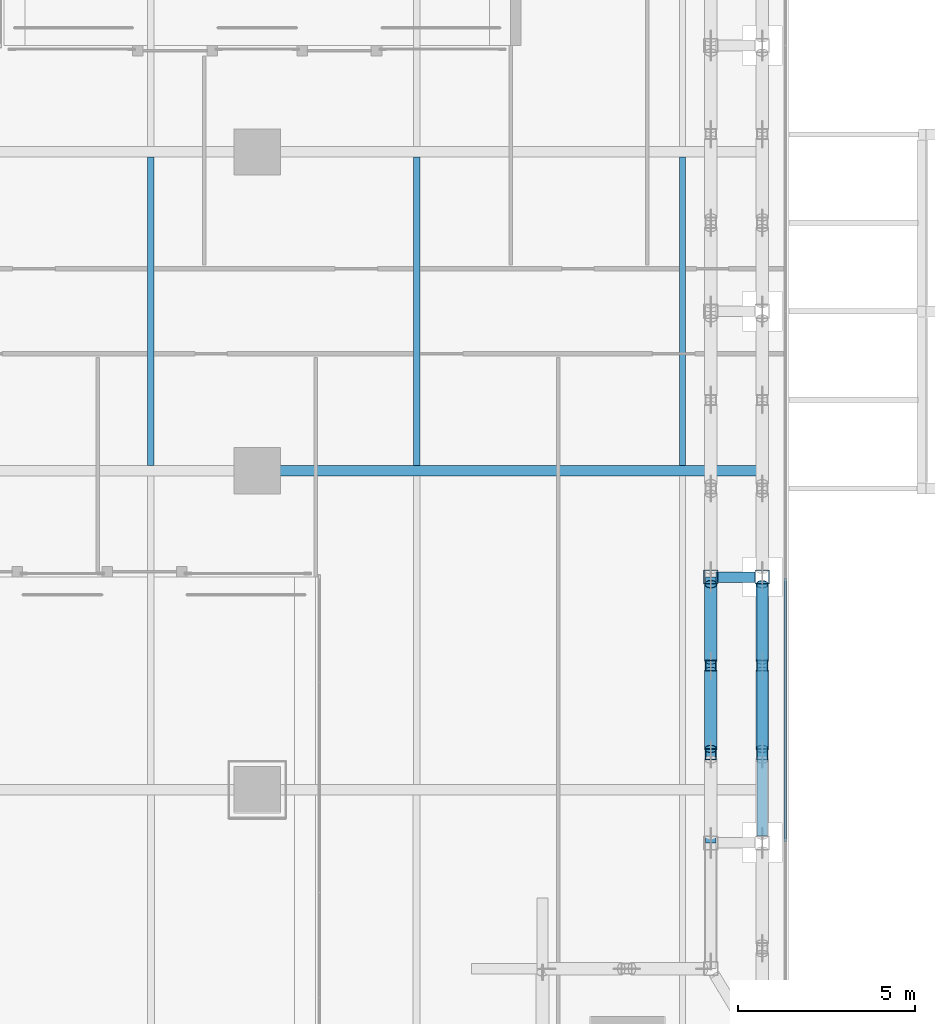
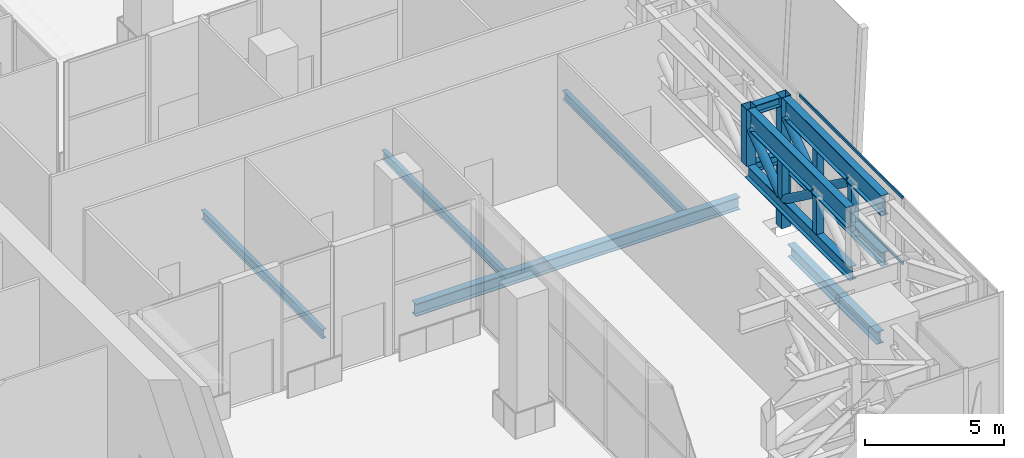
# One storey, part 16 of 47: 16 members, 7 beams, 1 element without a shape of its own.
"""IFC4 building model written with IfcOpenShell, lengths in metres."""

from ifc_helpers import new_model, si_unit, direction, frame, origin, origin_2d, place, context, subcontext, project, spatial, hollow_rectangle, hollow_circle, i_section, extrude, source, transform, mapped, material, material_profile, profile_set, type_object, element, aggregate, save


model = new_model("IFC4")

# Units and contexts
model_context = context("Model", 3, precision=1e-05, world=origin(), true_north=direction((0.0, 1.0)))
body_context = subcontext(model_context, "Body", "Model", "MODEL_VIEW")
ifc_project = project(units=[si_unit("LENGTHUNIT", "METRE"), si_unit("AREAUNIT", "SQUARE_METRE"), si_unit("VOLUMEUNIT", "CUBIC_METRE"), si_unit("PLANEANGLEUNIT", "RADIAN"), si_unit("MASSUNIT", "GRAM", prefix="KILO")], contexts=[model_context])

# Site, building, storey
site_placement = place(None, origin())
site = spatial("IfcSite", under=ifc_project, at=site_placement, CompositionType="ELEMENT")
building_placement = place(site_placement, origin())
building = spatial("IfcBuilding", under=site, at=building_placement, Name="Khomas Fold Tower", CompositionType="ELEMENT")
storey_placement = place(building_placement, frame((0.0, 0.0, 158.699951171875)))
storey = spatial("IfcBuildingStorey", under=building, at=storey_placement, Name="L34", CompositionType="ELEMENT", Elevation=158.699951171875)

# Beams
ifc_material_1 = material(Name="Steel S355", Category="steel")
ifc_material_profile_1 = material_profile(ifc_material_1, i_section(OverallWidth=0.179931640625, OverallDepth=0.39990234375, WebThickness=0.008544921875, FlangeThickness=0.013427734375, at=origin_2d()), Name="IPE 400")
ifc_profile_set_1 = profile_set([ifc_material_profile_1], Name="Steel S355")
beam_type_1 = type_object("IfcBeamType", Name="IPE 400 beam JB3", PredefinedType="BEAM", material=ifc_profile_set_1)
shared_shape_1 = source(origin(), body_context, "Body", "SweptSolid", [
    extrude(i_section(OverallWidth=0.179931640625, OverallDepth=0.39990234375, WebThickness=0.008544921875, FlangeThickness=0.013427734375, at=origin_2d()), origin(), (0.0, 0.0, 1.0), 8.7001953125),
])
for number, where, z_axis, x_axis, name in (
    (1, (34.5, 22.64990234375, -0.64990234375), (0.0, 1.0, 0.0), (-1.0, 0.0, 0.0), "JB3"),
    (2, (42.0, 22.64990234375, -0.64990234375), (0.0, 1.0, 0.0), (-1.0, 0.0, 0.0), "JB3"),
    (3, (49.5, 22.64990234375, -0.64990234375), (0.0, 1.0, 0.0), (-1.0, 0.0, 0.0), "JB3"),
):
    element("IfcBeam", number, at=place(storey_placement, frame(where, z_axis=z_axis, x_axis=x_axis)), inside=storey, type_object=beam_type_1, Name=name, PredefinedType="BEAM", context=body_context, shape_type="MappedRepresentation", body=[
        mapped(shared_shape_1, transform((0.0, 0.0, 0.0))),
    ])
ifc_material_2 = material(Name="Steel S355", Category="steel")
ifc_material_profile_2 = material_profile(ifc_material_2, i_section(OverallWidth=0.300048828125, OverallDepth=0.550048828125, WebThickness=0.014892578125, FlangeThickness=0.029052734375, at=origin_2d()), Name="HE 550 B")
ifc_profile_set_2 = profile_set([ifc_material_profile_2], Name="Steel S355")
beam_type_2 = type_object("IfcBeamType", Name="HE 550 B spandrel SB2", PredefinedType="SPANDREL", material=ifc_profile_set_2)
shared_shape_2 = source(origin(), body_context, "Body", "SweptSolid", [
    extrude(i_section(OverallWidth=0.300048828125, OverallDepth=0.550048828125, WebThickness=0.014892578125, FlangeThickness=0.029052734375, at=origin_2d()), origin(), (0.0, 0.0, 1.0), 6.39990234375),
])
beam_1_placement = place(storey_placement, frame((51.75, 12.550048828125, -0.724853515625), z_axis=(0.0, 1.0, 0.0), x_axis=(-1.0, 0.0, 0.0)))
element("IfcBeam", 4, at=beam_1_placement, inside=storey, type_object=beam_type_2, Name="SB2", PredefinedType="SPANDREL", context=body_context, shape_type="MappedRepresentation", body=[
    mapped(shared_shape_2, transform((0.0, 0.0, 0.0))),
])
ifc_material_3 = material(Name="Steel S355", Category="steel")
ifc_material_profile_3 = material_profile(ifc_material_3, i_section(OverallWidth=0.300048828125, OverallDepth=0.550048828125, WebThickness=0.014892578125, FlangeThickness=0.029052734375, at=origin_2d()), Name="HE 550 B")
ifc_profile_set_3 = profile_set([ifc_material_profile_3], Name="Steel S355")
beam_type_3 = type_object("IfcBeamType", Name="HE 550 B beam GB4", PredefinedType="BEAM", material=ifc_profile_set_3)
shared_shape_3 = source(origin(), body_context, "Body", "SweptSolid", [
    extrude(i_section(OverallWidth=0.300048828125, OverallDepth=0.550048828125, WebThickness=0.014892578125, FlangeThickness=0.029052734375, at=origin_2d()), origin(), (0.0, 0.0, 1.0), 13.4501953125),
])
beam_2_placement = place(storey_placement, frame((38.14990234375, 22.5, -0.724853515625), z_axis=(1.0, 0.0, 0.0), x_axis=(0.0, 1.0, 0.0)))
element("IfcBeam", 5, at=beam_2_placement, inside=storey, type_object=beam_type_3, Name="GB4", PredefinedType="BEAM", context=body_context, shape_type="MappedRepresentation", body=[
    mapped(shared_shape_3, transform((0.0, 0.0, 0.0))),
])

# Members
ifc_material_4 = material(Name="Steel S355", Category="steel")
ifc_material_profile_4 = material_profile(ifc_material_4, hollow_rectangle(XDim=0.300048828125, YDim=0.300048828125, WallThickness=0.012451171875, at=origin_2d()), Name="SHS 300x300x12.5")
ifc_profile_set_4 = profile_set([ifc_material_profile_4], Name="Steel S355")
member_type_1 = type_object("IfcMemberType", Name="BELT TRUSS 2 MID POST SHS 300x300x12.5", PredefinedType="POST", material=ifc_profile_set_4)
shared_shape_4 = source(origin(), body_context, "Body", "SweptSolid", [
    extrude(hollow_rectangle(XDim=0.300048828125, YDim=0.300048828125, WallThickness=0.012451171875, at=origin_2d()), origin(), (0.0, 0.0, 1.0), 1.60009765625),
])
for number, where, z_axis, x_axis, name in (
    (6, (51.75, 14.5, 3.25), (0.0, 0.0, 1.0), (1.0, 0.0, 0.0), "BT2-M"),
    (7, (51.75, 17.0, 3.25), (0.0, 0.0, 1.0), (1.0, 0.0, 0.0), "BT2-M"),
    (8, (50.300048828125, 14.5, 3.25), (0.0, 0.0, 1.0), (1.0, 0.0, 0.0), "BT2-M"),
    (9, (50.300048828125, 17.0, 3.25), (0.0, 0.0, 1.0), (1.0, 0.0, 0.0), "BT2-M"),
):
    element("IfcMember", number, at=place(storey_placement, frame(where, z_axis=z_axis, x_axis=x_axis)), inside=storey, type_object=member_type_1, Name=name, PredefinedType="POST", context=body_context, shape_type="MappedRepresentation", body=[
        mapped(shared_shape_4, transform((0.0, 0.0, 0.0))),
    ])
ifc_material_5 = material(Name="Steel S460M", Category="steel")
ifc_material_profile_5 = material_profile(ifc_material_5, i_section(OverallWidth=0.300048828125, OverallDepth=0.89990234375, WebThickness=0.0185546875, FlangeThickness=0.034912109375, at=origin_2d()), Name="HE 900 B")
ifc_profile_set_5 = profile_set([ifc_material_profile_5], Name="Steel S460M")
member_type_2 = type_object("IfcMemberType", Name="BELT TRUSS 2 TOP CHORD HE 900 B", PredefinedType="CHORD", material=ifc_profile_set_5)
shared_shape_5 = source(origin(), body_context, "Body", "SweptSolid", [
    extrude(i_section(OverallWidth=0.300048828125, OverallDepth=0.89990234375, WebThickness=0.0185546875, FlangeThickness=0.034912109375, at=origin_2d()), origin(), (0.0, 0.0, 1.0), 7.10009765625),
])
for number, where, z_axis, x_axis, name in (
    (10, (51.75, 12.199951171875, 5.300048828125), (0.0, 1.0, 0.0), (-1.0, 0.0, 0.0), "BT2-CT"),
    (11, (50.300048828125, 12.199951171875, 5.300048828125), (0.0, 1.0, 0.0), (-1.0, 0.0, 0.0), "BT2-CT"),
):
    element("IfcMember", number, at=place(storey_placement, frame(where, z_axis=z_axis, x_axis=x_axis)), inside=storey, type_object=member_type_2, Name=name, PredefinedType="CHORD", context=body_context, shape_type="MappedRepresentation", body=[
        mapped(shared_shape_5, transform((0.0, 0.0, 0.0))),
    ])
ifc_material_6 = material(Name="Steel S355", Category="steel")
ifc_material_profile_6 = material_profile(ifc_material_6, i_section(OverallWidth=0.300048828125, OverallDepth=0.60009765625, WebThickness=0.015380859375, FlangeThickness=0.030029296875, at=origin_2d()), Name="HE 600 B")
ifc_profile_set_6 = profile_set([ifc_material_profile_6], Name="Steel S355")
member_type_3 = type_object("IfcMemberType", Name="BELT TRUSS 2 BOTTOM CHORD HE 600 B", PredefinedType="CHORD", material=ifc_profile_set_6)
shared_shape_6 = source(origin(), body_context, "Body", "SweptSolid", [
    extrude(i_section(OverallWidth=0.300048828125, OverallDepth=0.60009765625, WebThickness=0.015380859375, FlangeThickness=0.030029296875, at=origin_2d()), origin(), (0.0, 0.0, 1.0), 7.10009765625),
])
member_1_placement = place(storey_placement, frame((51.75, 12.199951171875, 2.949951171875), z_axis=(0.0, 1.0, 0.0), x_axis=(-1.0, 0.0, 0.0)))
element("IfcMember", 12, at=member_1_placement, inside=storey, type_object=member_type_3, Name="BT2-CB", PredefinedType="CHORD", context=body_context, shape_type="MappedRepresentation", body=[
    mapped(shared_shape_6, transform((0.0, 0.0, 0.0))),
])
ifc_material_7 = material(Name="Steel S355", Category="steel")
ifc_material_profile_7 = material_profile(ifc_material_7, hollow_circle(Radius=0.177734375, WallThickness=0.01611328125, at=origin_2d()), Name="CHS 355.6x16")
ifc_profile_set_7 = profile_set([ifc_material_profile_7], Name="Steel S355")
member_type_4 = type_object("IfcMemberType", Name="BELT TRUSS 2 DIAGONAL CHS 355.6x16", PredefinedType="BRACE", material=ifc_profile_set_7)
shared_shape_7 = source(origin(), body_context, "Body", "SweptSolid", [
    extrude(hollow_circle(Radius=0.177734375, WallThickness=0.01611328125, at=origin_2d()), origin(), (0.0, 0.0, 1.0), 2.68603515625),
])
for number, where, z_axis, x_axis, name in (
    (13, (51.75, 17.14990234375, 3.2451171875), (0.0, 0.800490552016, 0.599345372998), (-1.0, 0.0, 0.0), "BT2-D"),
    (14, (50.300048828125, 17.14990234375, 3.2451171875), (0.0, 0.800490552016, 0.599345372998), (-1.0, 0.0, 0.0), "BT2-D"),
):
    element("IfcMember", number, at=place(storey_placement, frame(where, z_axis=z_axis, x_axis=x_axis)), inside=storey, type_object=member_type_4, Name=name, PredefinedType="BRACE", context=body_context, shape_type="MappedRepresentation", body=[
        mapped(shared_shape_7, transform((0.0, 0.0, 0.0))),
    ])
shared_shape_8 = source(origin(), body_context, "Body", "SweptSolid", [
    extrude(hollow_circle(Radius=0.177734375, WallThickness=0.01611328125, at=origin_2d()), origin(), (0.0, 0.0, 1.0), 2.726318359375),
])
for number, where, z_axis, x_axis, name in (
    (15, (51.75, 14.64990234375, 4.85498046875), (0.0, 0.80703657096, -0.590501459044), (-1.0, 0.0, 0.0), "BT2-D"),
    (16, (50.300048828125, 14.64990234375, 4.85498046875), (0.0, 0.80703657096, -0.590501459044), (-1.0, 0.0, 0.0), "BT2-D"),
):
    element("IfcMember", number, at=place(storey_placement, frame(where, z_axis=z_axis, x_axis=x_axis)), inside=storey, type_object=member_type_4, Name=name, PredefinedType="BRACE", context=body_context, shape_type="MappedRepresentation", body=[
        mapped(shared_shape_8, transform((0.0, 0.0, 0.0))),
    ])
shared_shape_9 = source(origin(), body_context, "Body", "SweptSolid", [
    extrude(i_section(OverallWidth=0.300048828125, OverallDepth=0.60009765625, WebThickness=0.015380859375, FlangeThickness=0.030029296875, at=origin_2d()), origin(), (0.0, 0.0, 1.0), 7.5),
])
member_2_placement = place(storey_placement, frame((50.300048828125, 12.0, 2.949951171875), z_axis=(0.0, 1.0, 0.0), x_axis=(-1.0, 0.0, 0.0)))
element("IfcMember", 17, at=member_2_placement, inside=storey, type_object=member_type_3, Name="BT2-CB", PredefinedType="CHORD", context=body_context, shape_type="MappedRepresentation", body=[
    mapped(shared_shape_9, transform((0.0, 0.0, 0.0))),
])
ifc_material_8 = material(Name="Steel S460M", Category="steel")
ifc_material_profile_8 = material_profile(ifc_material_8, hollow_rectangle(XDim=0.39990234375, YDim=0.39990234375, WallThickness=0.01611328125, at=origin_2d()), Name="SHS 400x400x16")
ifc_profile_set_8 = profile_set([ifc_material_profile_8], Name="Steel S460M")
member_type_5 = type_object("IfcMemberType", Name="BELT TRUSS 2 COLUMN POST SHS 400x400x16", PredefinedType="POST", material=ifc_profile_set_8)
shared_shape_10 = source(origin(), body_context, "Body", "SweptSolid", [
    extrude(hollow_rectangle(XDim=0.39990234375, YDim=0.39990234375, WallThickness=0.01611328125, at=origin_2d()), origin(), (0.0, 0.0, 1.0), 5.75),
])
member_3_placement = place(storey_placement, frame((51.75, 19.5, 0.0), z_axis=(0.0, 0.0, 1.0), x_axis=(1.0, 0.0, 0.0)))
element("IfcMember", 18, at=member_3_placement, inside=storey, type_object=member_type_5, Name="BT2-P", PredefinedType="POST", context=body_context, shape_type="MappedRepresentation", body=[
    mapped(shared_shape_10, transform((0.0, 0.0, 0.0))),
])
ifc_material_9 = material(Name="Steel S460M", Category="steel")
ifc_material_profile_9 = material_profile(ifc_material_9, hollow_rectangle(XDim=0.39990234375, YDim=0.39990234375, WallThickness=0.01611328125, at=origin_2d()), Name="SHS 400x400x16")
ifc_profile_set_9 = profile_set([ifc_material_profile_9], Name="Steel S460M")
member_type_6 = type_object("IfcMemberType", Name="BELT TRUSS 2 COLUMN POST SHORT SHS 400x400x16", PredefinedType="POST", material=ifc_profile_set_9)
shared_shape_11 = source(origin(), body_context, "Body", "SweptSolid", [
    extrude(hollow_rectangle(XDim=0.39990234375, YDim=0.39990234375, WallThickness=0.01611328125, at=origin_2d()), origin(), (0.0, 0.0, 1.0), 2.5),
])
member_4_placement = place(storey_placement, frame((50.300048828125, 19.5, 3.25), z_axis=(0.0, 0.0, 1.0), x_axis=(1.0, 0.0, 0.0)))
element("IfcMember", 19, at=member_4_placement, inside=storey, type_object=member_type_6, Name="BT2-PS", PredefinedType="POST", context=body_context, shape_type="MappedRepresentation", body=[
    mapped(shared_shape_11, transform((0.0, 0.0, 0.0))),
])

# Beams
ifc_material_10 = material(Name="Steel S355", Category="steel")
ifc_material_profile_10 = material_profile(ifc_material_10, i_section(OverallWidth=0.300048828125, OverallDepth=0.39990234375, WebThickness=0.013427734375, FlangeThickness=0.02392578125, at=origin_2d()), Name="HE 400 B")
ifc_profile_set_10 = profile_set([ifc_material_profile_10], Name="Steel S355")
beam_type_4 = type_object("IfcBeamType", Name="BELT TRUSS 2 TOP STRUT HE 400 B", PredefinedType="BEAM", material=ifc_profile_set_10)
shared_shape_12 = source(origin(), body_context, "Body", "SweptSolid", [
    extrude(i_section(OverallWidth=0.300048828125, OverallDepth=0.39990234375, WebThickness=0.013427734375, FlangeThickness=0.02392578125, at=origin_2d()), origin(), (0.0, 0.0, 1.0), 1.050048828125),
])
beam_3_placement = place(storey_placement, frame((50.5, 19.5, 5.550048828125), z_axis=(1.0, 0.0, 0.0), x_axis=(0.0, 1.0, 0.0)))
element("IfcBeam", 20, at=beam_3_placement, inside=storey, type_object=beam_type_4, Name="BT2-ST", PredefinedType="BEAM", context=body_context, shape_type="MappedRepresentation", body=[
    mapped(shared_shape_12, transform((0.0, 0.0, 0.0))),
])
ifc_material_11 = material(Name="Steel S355", Category="steel")
ifc_material_profile_11 = material_profile(ifc_material_11, i_section(OverallWidth=0.300048828125, OverallDepth=0.39990234375, WebThickness=0.013427734375, FlangeThickness=0.02392578125, at=origin_2d()), Name="HE 400 B")
ifc_profile_set_11 = profile_set([ifc_material_profile_11], Name="Steel S355")
beam_type_5 = type_object("IfcBeamType", Name="BELT TRUSS 2 BOTTOM STRUT HE 400 B", PredefinedType="BEAM", material=ifc_profile_set_11)
shared_shape_13 = source(origin(), body_context, "Body", "SweptSolid", [
    extrude(i_section(OverallWidth=0.300048828125, OverallDepth=0.39990234375, WebThickness=0.013427734375, FlangeThickness=0.02392578125, at=origin_2d()), origin(), (0.0, 0.0, 1.0), 1.10009765625),
])
beam_4_placement = place(storey_placement, frame((50.449951171875, 19.5, 3.050048828125), z_axis=(1.0, 0.0, 0.0), x_axis=(0.0, 1.0, 0.0)))
element("IfcBeam", 21, at=beam_4_placement, inside=storey, type_object=beam_type_5, Name="BT2-SB", PredefinedType="BEAM", context=body_context, shape_type="MappedRepresentation", body=[
    mapped(shared_shape_13, transform((0.0, 0.0, 0.0))),
])

# Curtain wall, members
ifc_material_12 = material(Name="Aluminium framed double glazing", Category="aluminium")
curtain_wall_type = type_object("IfcCurtainWallType", Name="SK-Unitised clear-glass wall, growing floors CW1", PredefinedType="NOTDEFINED", material=ifc_material_12)
curtain_wall_placement = place(storey_placement, origin())
curtain_wall = element("IfcCurtainWall", 22, at=curtain_wall_placement, inside=storey, type_object=curtain_wall_type, Name="CW1 run L34 08-0", PredefinedType="NOTDEFINED")
ifc_material_13 = material(Name="Aluminium", Category="aluminium")
ifc_material_profile_12 = material_profile(ifc_material_13, hollow_rectangle(XDim=0.06005859375, YDim=0.1201171875, WallThickness=0.00390625, at=origin_2d()), Name="SK-Unitised clear-glass wall, growing floors transom CW1-T")
ifc_profile_set_12 = profile_set([ifc_material_profile_12], Name="Aluminium")
member_type_7 = type_object("IfcMemberType", Name="SK-Unitised clear-glass wall, growing floors transom CW1-T", PredefinedType="USERDEFINED", material=ifc_profile_set_12)
shared_shape_14 = source(origin(), body_context, "Body", "SweptSolid", [
    extrude(hollow_rectangle(XDim=0.06005859375, YDim=0.1201171875, WallThickness=0.00390625, at=origin_2d()), origin(), (0.0, 0.0, 1.0), 7.43994140625),
])
member_5_placement = place(storey_placement, frame((52.39990234375, 12.030029296875, 5.489990234375), z_axis=(0.0, 1.0, 0.0), x_axis=(-1.0, 0.0, 0.0)))
member_5 = element("IfcMember", 23, at=member_5_placement, type_object=member_type_7, Name="CW1 transom 3", ObjectType="TRANSOM", PredefinedType="USERDEFINED", context=body_context, shape_type="MappedRepresentation", body=[
    mapped(shared_shape_14, transform((0.0, 0.0, 0.0))),
])
member_6_placement = place(storey_placement, frame((52.39990234375, 12.030029296875, 2.6171875), z_axis=(0.0, 1.0, 0.0), x_axis=(-1.0, 0.0, 0.0)))
member_6 = element("IfcMember", 24, at=member_6_placement, type_object=member_type_7, Name="CW1 transom 3 (truss floor)", ObjectType="TRANSOM", PredefinedType="USERDEFINED", context=body_context, shape_type="MappedRepresentation", body=[
    mapped(shared_shape_14, transform((0.0, 0.0, 0.0))),
])
aggregate(curtain_wall, [member_5, member_6])

save(model, "model.ifc")
